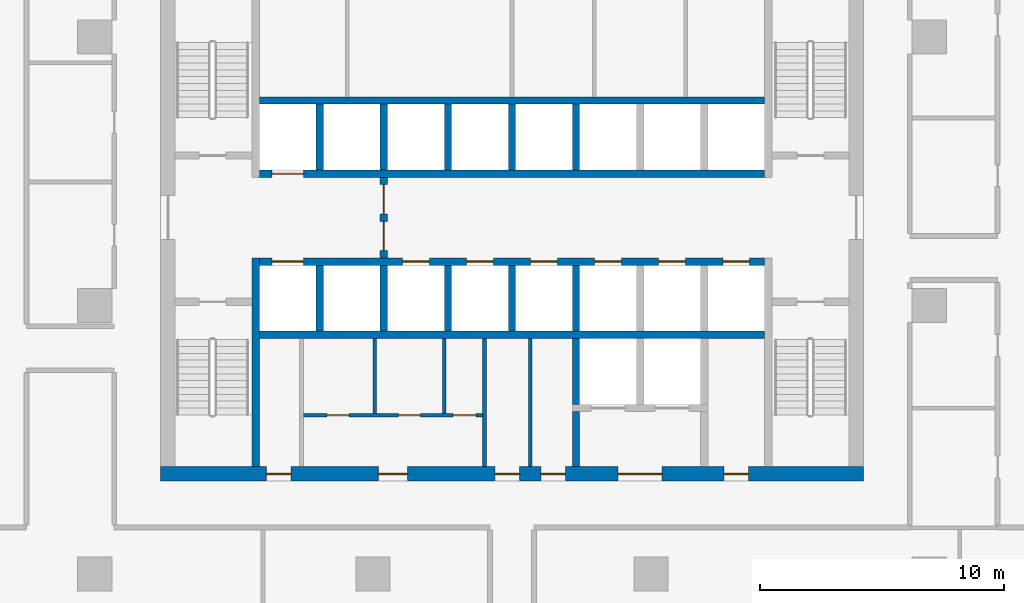
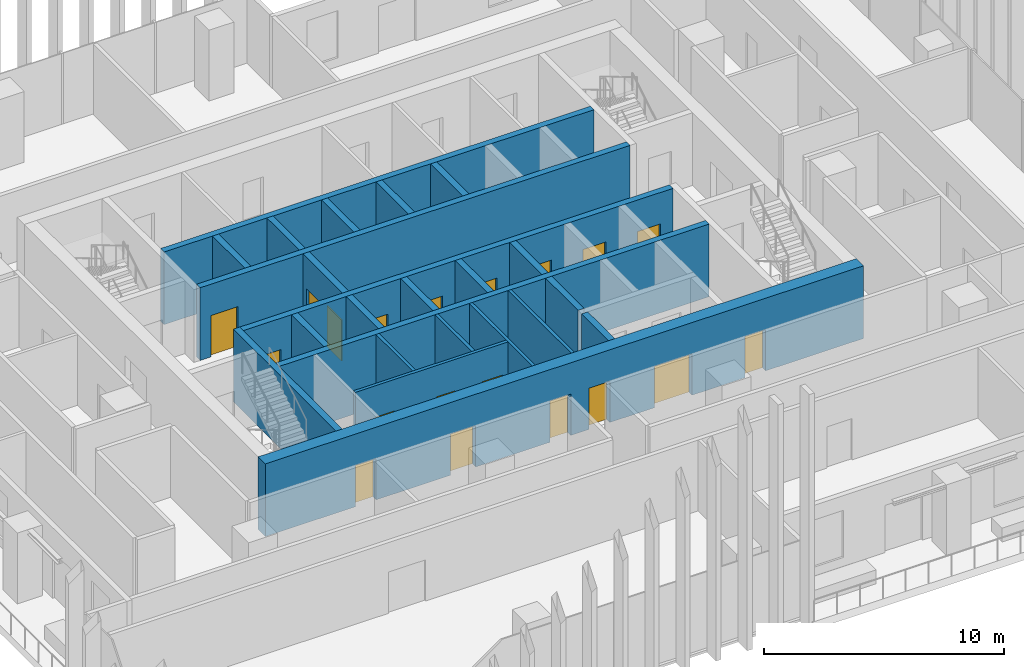
# One storey, part 8 of 16: 24 walls, 19 doors, 19 openings.
"""IFC4 building model written with IfcOpenShell, lengths in metres."""

from ifc_helpers import new_model, si_unit, direction, frame, frame_2d, origin, place, context, subcontext, project, spatial, rectangle, extrude, material, layer, layer_set, type_object, element, fill, save


model = new_model("IFC4")

# Units and contexts
model_context = context("Model", 3, precision=1e-05, world=origin(), true_north=direction((0.0, 1.0)))
body_context = subcontext(model_context, "Body", "Model", "MODEL_VIEW")
ifc_project = project(units=[si_unit("LENGTHUNIT", "METRE"), si_unit("AREAUNIT", "SQUARE_METRE"), si_unit("VOLUMEUNIT", "CUBIC_METRE"), si_unit("PLANEANGLEUNIT", "RADIAN"), si_unit("MASSUNIT", "GRAM", prefix="KILO")], contexts=[model_context])

# Site, building, storey
site_placement = place(None, origin())
site = spatial("IfcSite", under=ifc_project, at=site_placement, CompositionType="ELEMENT")
building_placement = place(site_placement, origin())
building = spatial("IfcBuilding", under=site, at=building_placement, Name="Mopane Tessera Tower", CompositionType="ELEMENT")
storey_placement = place(building_placement, frame((0.0, 0.0, 181.0)))
storey = spatial("IfcBuildingStorey", under=building, at=storey_placement, Name="L37", CompositionType="ELEMENT", Elevation=181.0)

# Wall, openings, doors
ifc_material_1 = material(Name="Fire-rated gypsum board partition")
ifc_layer_1 = layer(ifc_material_1, 0.14990234375)
ifc_layer_set_1 = layer_set([ifc_layer_1], Name="Fire-rated gypsum board partition")
wall_type_1 = type_object("IfcWallType", Name="Core room partition 150 mm", PredefinedType="PARTITIONING", material=ifc_layer_set_1)
wall_1_placement = place(storey_placement, frame((-8.550048828125, -4.5, 0.0), z_axis=(0.0, 0.0, 1.0), x_axis=(1.0, 0.0, 0.0)))
wall_1 = element("IfcWall", 1, at=wall_1_placement, inside=storey, type_object=wall_type_1, Name="L37 WC partition", PredefinedType="PARTITIONING", context=body_context, shape_type="SweptSolid", body=[
    extrude(rectangle(XDim=7.35009765625, YDim=0.14990234375, at=frame_2d((3.675048828125, 0.0))), origin(), (0.0, 0.0, 1.0), 3.699951171875),
])
opening_1_placement = place(wall_1_placement, frame((0.97509765625, 0.0, 0.0)))
opening_1 = element("IfcOpeningElement", 2, at=opening_1_placement, cuts=wall_1, Name="Opening WD1", PredefinedType="OPENING", context=body_context, shape_type="SweptSolid", body=[
    extrude(rectangle(XDim=0.89990234375, YDim=2.10009765625, at=frame_2d((0.449951171875, 1.050048828125))), frame((0.0, 0.0869140625, 0.0), z_axis=(0.0, -1.0, 0.0), x_axis=(1.0, 0.0, 0.0)), (0.0, 0.0, 1.0), 0.173828125),
])
opening_2_placement = place(wall_1_placement, frame((3.89990234375, 0.0, 0.0)))
opening_2 = element("IfcOpeningElement", 3, at=opening_2_placement, cuts=wall_1, Name="Opening WD1", PredefinedType="OPENING", context=body_context, shape_type="SweptSolid", body=[
    extrude(rectangle(XDim=0.89990234375, YDim=2.10009765625, at=frame_2d((0.449951171875, 1.050048828125))), frame((0.0, 0.0869140625, 0.0), z_axis=(0.0, -1.0, 0.0), x_axis=(1.0, 0.0, 0.0)), (0.0, 0.0, 1.0), 0.173828125),
])
opening_3_placement = place(wall_1_placement, frame((6.125, 0.0, 0.0)))
opening_3 = element("IfcOpeningElement", 4, at=opening_3_placement, cuts=wall_1, Name="Opening WD2", PredefinedType="OPENING", context=body_context, shape_type="SweptSolid", body=[
    extrude(rectangle(XDim=0.949951171875, YDim=2.10009765625, at=frame_2d((0.47509765625, 1.050048828125))), frame((0.0, 0.0869140625, 0.0), z_axis=(0.0, -1.0, 0.0), x_axis=(1.0, 0.0, 0.0)), (0.0, 0.0, 1.0), 0.173828125),
])
ifc_material_2 = material(Name="Timber door", Category="wood")
door_type_1 = type_object("IfcDoorType", Name="Accessible WC door 950 x 2100", OperationType="SINGLE_SWING_LEFT", PredefinedType="DOOR", material=ifc_material_2)
door_1_placement = place(opening_3_placement, origin())
door_1 = element("IfcDoor", 5, at=door_1_placement, inside=storey, type_object=door_type_1, Name="L37 Accessible WC door", OperationType="SINGLE_SWING_LEFT", OverallHeight=2.10009765625, OverallWidth=0.949951171875, PredefinedType="DOOR", context=body_context, shape_type="SweptSolid", body=[
    extrude(rectangle(XDim=0.949951171875, YDim=2.10009765625, at=frame_2d((0.47509765625, 1.050048828125))), frame((0.0, 0.02490234375, 0.0), z_axis=(0.0, -1.0, 0.0), x_axis=(1.0, 0.0, 0.0)), (0.0, 0.0, 1.0), 0.050048828125),
])
fill(opening_3, door_1)
ifc_material_3 = material(Name="Timber door", Category="wood")
door_type_2 = type_object("IfcDoorType", Name="WC cubicle door 900 x 2100", OperationType="SINGLE_SWING_LEFT", PredefinedType="DOOR", material=ifc_material_3)
door_2_placement = place(opening_1_placement, origin())
door_2 = element("IfcDoor", 6, at=door_2_placement, inside=storey, type_object=door_type_2, Name="L37 Men's WC door", OperationType="SINGLE_SWING_LEFT", OverallHeight=2.10009765625, OverallWidth=0.89990234375, PredefinedType="DOOR", context=body_context, shape_type="SweptSolid", body=[
    extrude(rectangle(XDim=0.89990234375, YDim=2.10009765625, at=frame_2d((0.449951171875, 1.050048828125))), frame((0.0, 0.02490234375, 0.0), z_axis=(0.0, -1.0, 0.0), x_axis=(1.0, 0.0, 0.0)), (0.0, 0.0, 1.0), 0.050048828125),
])
fill(opening_1, door_2)
door_3_placement = place(opening_2_placement, origin())
door_3 = element("IfcDoor", 7, at=door_3_placement, inside=storey, type_object=door_type_2, Name="L37 Women's WC door", OperationType="SINGLE_SWING_LEFT", OverallHeight=2.10009765625, OverallWidth=0.89990234375, PredefinedType="DOOR", context=body_context, shape_type="SweptSolid", body=[
    extrude(rectangle(XDim=0.89990234375, YDim=2.10009765625, at=frame_2d((0.449951171875, 1.050048828125))), frame((0.0, 0.02490234375, 0.0), z_axis=(0.0, -1.0, 0.0), x_axis=(1.0, 0.0, 0.0)), (0.0, 0.0, 1.0), 0.050048828125),
])
fill(opening_2, door_3)

# Walls
for number, where, z_axis, x_axis, name in (
    (8, (-5.625, -4.425048828125, 0.0), (0.0, 0.0, 1.0), (0.0, 1.0, 0.0), "L37 WC partition"),
    (9, (-2.77490234375, -4.425048828125, 0.0), (0.0, 0.0, 1.0), (0.0, 1.0, 0.0), "L37 WC partition"),
):
    element("IfcWall", number, at=place(storey_placement, frame(where, z_axis=z_axis, x_axis=x_axis)), inside=storey, type_object=wall_type_1, Name=name, PredefinedType="PARTITIONING", context=body_context, shape_type="SweptSolid", body=[
        extrude(rectangle(XDim=3.074951171875, YDim=0.14990234375, at=frame_2d((1.53759765625, 0.0))), origin(), (0.0, 0.0, 1.0), 3.699951171875),
    ])
for number, where, z_axis, x_axis, name in (
    (10, (-1.125, -6.60009765625, 0.0), (0.0, 0.0, 1.0), (0.0, 1.0, 0.0), "L37 Room partition"),
    (11, (0.75, -6.60009765625, 0.0), (0.0, 0.0, 1.0), (0.0, 1.0, 0.0), "L37 Room partition"),
):
    element("IfcWall", number, at=place(storey_placement, frame(where, z_axis=z_axis, x_axis=x_axis)), inside=storey, type_object=wall_type_1, Name=name, PredefinedType="PARTITIONING", context=body_context, shape_type="SweptSolid", body=[
        extrude(rectangle(XDim=5.25, YDim=0.14990234375, at=frame_2d((2.625, 0.0))), origin(), (0.0, 0.0, 1.0), 3.699951171875),
    ])

# Wall, openings, doors
ifc_material_4 = material(Name="Concrete C70/85", Category="concrete")
ifc_layer_2 = layer(ifc_material_4, 0.60009765625)
ifc_layer_set_2 = layer_set([ifc_layer_2], Name="Concrete C70/85")
wall_type_2 = type_object("IfcWallType", Name="Core shear wall 600 mm", PredefinedType="SHEAR", material=ifc_layer_set_2)
wall_2_placement = place(storey_placement, frame((-14.39990234375, -6.89990234375, 0.0), z_axis=(0.0, 0.0, 1.0), x_axis=(1.0, 0.0, 0.0)))
wall_2 = element("IfcWall", 12, at=wall_2_placement, inside=storey, type_object=wall_type_2, Name="L37 Core wall south", PredefinedType="SHEAR", context=body_context, shape_type="SweptSolid", body=[
    extrude(rectangle(XDim=28.7998046875, YDim=0.60009765625, at=frame_2d((14.39990234375, 0.0))), origin(), (0.0, 0.0, 1.0), 3.699951171875),
])
opening_4_placement = place(wall_2_placement, frame((4.33740234375, 0.0, 0.0)))
opening_4 = element("IfcOpeningElement", 13, at=opening_4_placement, cuts=wall_2, Name="Opening RD1", PredefinedType="OPENING", context=body_context, shape_type="SweptSolid", body=[
    extrude(rectangle(XDim=1.0, YDim=2.10009765625, at=frame_2d((0.5, 1.050048828125))), frame((0.0, 0.31201171875, 0.0), z_axis=(0.0, -1.0, 0.0), x_axis=(1.0, 0.0, 0.0)), (0.0, 0.0, 1.0), 0.6240234375),
])
opening_5_placement = place(wall_2_placement, frame((8.925048828125, 0.0, 0.0)))
opening_5 = element("IfcOpeningElement", 14, at=opening_5_placement, cuts=wall_2, Name="Opening WD3", PredefinedType="OPENING", context=body_context, shape_type="SweptSolid", body=[
    extrude(rectangle(XDim=1.199951171875, YDim=2.10009765625, at=frame_2d((0.60009765625, 1.050048828125))), frame((0.0, 0.31201171875, 0.0), z_axis=(0.0, -1.0, 0.0), x_axis=(1.0, 0.0, 0.0)), (0.0, 0.0, 1.0), 0.6240234375),
])
opening_6_placement = place(wall_2_placement, frame((13.71240234375, 0.0, 0.0)))
opening_6 = element("IfcOpeningElement", 15, at=opening_6_placement, cuts=wall_2, Name="Opening RD1", PredefinedType="OPENING", context=body_context, shape_type="SweptSolid", body=[
    extrude(rectangle(XDim=1.0, YDim=2.10009765625, at=frame_2d((0.5, 1.050048828125))), frame((0.0, 0.31201171875, 0.0), z_axis=(0.0, -1.0, 0.0), x_axis=(1.0, 0.0, 0.0)), (0.0, 0.0, 1.0), 0.6240234375),
])
opening_7_placement = place(wall_2_placement, frame((15.58740234375, 0.0, 0.0)))
opening_7 = element("IfcOpeningElement", 16, at=opening_7_placement, cuts=wall_2, Name="Opening RD1", PredefinedType="OPENING", context=body_context, shape_type="SweptSolid", body=[
    extrude(rectangle(XDim=1.0, YDim=2.10009765625, at=frame_2d((0.5, 1.050048828125))), frame((0.0, 0.31201171875, 0.0), z_axis=(0.0, -1.0, 0.0), x_axis=(1.0, 0.0, 0.0)), (0.0, 0.0, 1.0), 0.6240234375),
])
opening_8_placement = place(wall_2_placement, frame((18.75, 0.0, 0.0)))
opening_8 = element("IfcOpeningElement", 17, at=opening_8_placement, cuts=wall_2, Name="Opening SD2", PredefinedType="OPENING", context=body_context, shape_type="SweptSolid", body=[
    extrude(rectangle(XDim=1.800048828125, YDim=2.10009765625, at=frame_2d((0.89990234375, 1.050048828125))), frame((0.0, 0.31201171875, 0.0), z_axis=(0.0, -1.0, 0.0), x_axis=(1.0, 0.0, 0.0)), (0.0, 0.0, 1.0), 0.6240234375),
])
opening_9_placement = place(wall_2_placement, frame((23.08740234375, 0.0, 0.0)))
opening_9 = element("IfcOpeningElement", 18, at=opening_9_placement, cuts=wall_2, Name="Opening RD1", PredefinedType="OPENING", context=body_context, shape_type="SweptSolid", body=[
    extrude(rectangle(XDim=1.0, YDim=2.10009765625, at=frame_2d((0.5, 1.050048828125))), frame((0.0, 0.31201171875, 0.0), z_axis=(0.0, -1.0, 0.0), x_axis=(1.0, 0.0, 0.0)), (0.0, 0.0, 1.0), 0.6240234375),
])
ifc_material_5 = material(Name="Steel fire door", Category="steel")
door_type_3 = type_object("IfcDoorType", Name="Core entrance double door 1800 x 2100", OperationType="DOUBLE_DOOR_SINGLE_SWING", PredefinedType="DOOR", material=ifc_material_5)
door_4_placement = place(opening_8_placement, origin())
door_4 = element("IfcDoor", 19, at=door_4_placement, inside=storey, type_object=door_type_3, Name="L37 Service lobby door", OperationType="DOUBLE_DOOR_SINGLE_SWING", OverallHeight=2.10009765625, OverallWidth=1.800048828125, PredefinedType="DOOR", context=body_context, shape_type="SweptSolid", body=[
    extrude(rectangle(XDim=1.800048828125, YDim=2.10009765625, at=frame_2d((0.89990234375, 1.050048828125))), frame((0.0, 0.02490234375, 0.0), z_axis=(0.0, -1.0, 0.0), x_axis=(1.0, 0.0, 0.0)), (0.0, 0.0, 1.0), 0.050048828125),
])
fill(opening_8, door_4)
ifc_material_6 = material(Name="Timber door", Category="wood")
door_type_4 = type_object("IfcDoorType", Name="Core room door 1000 x 2100", OperationType="SINGLE_SWING_LEFT", PredefinedType="DOOR", material=ifc_material_6)
door_5_placement = place(opening_4_placement, origin())
door_5 = element("IfcDoor", 20, at=door_5_placement, inside=storey, type_object=door_type_4, Name="L37 Room door", OperationType="SINGLE_SWING_LEFT", OverallHeight=2.10009765625, OverallWidth=1.0, PredefinedType="DOOR", context=body_context, shape_type="SweptSolid", body=[
    extrude(rectangle(XDim=1.0, YDim=2.10009765625, at=frame_2d((0.5, 1.050048828125))), frame((0.0, 0.02490234375, 0.0), z_axis=(0.0, -1.0, 0.0), x_axis=(1.0, 0.0, 0.0)), (0.0, 0.0, 1.0), 0.050048828125),
])
fill(opening_4, door_5)
door_6_placement = place(opening_6_placement, origin())
door_6 = element("IfcDoor", 21, at=door_6_placement, inside=storey, type_object=door_type_4, Name="L37 Room door", OperationType="SINGLE_SWING_LEFT", OverallHeight=2.10009765625, OverallWidth=1.0, PredefinedType="DOOR", context=body_context, shape_type="SweptSolid", body=[
    extrude(rectangle(XDim=1.0, YDim=2.10009765625, at=frame_2d((0.5, 1.050048828125))), frame((0.0, 0.02490234375, 0.0), z_axis=(0.0, -1.0, 0.0), x_axis=(1.0, 0.0, 0.0)), (0.0, 0.0, 1.0), 0.050048828125),
])
fill(opening_6, door_6)
door_7_placement = place(opening_7_placement, origin())
door_7 = element("IfcDoor", 22, at=door_7_placement, inside=storey, type_object=door_type_4, Name="L37 Room door", OperationType="SINGLE_SWING_LEFT", OverallHeight=2.10009765625, OverallWidth=1.0, PredefinedType="DOOR", context=body_context, shape_type="SweptSolid", body=[
    extrude(rectangle(XDim=1.0, YDim=2.10009765625, at=frame_2d((0.5, 1.050048828125))), frame((0.0, 0.02490234375, 0.0), z_axis=(0.0, -1.0, 0.0), x_axis=(1.0, 0.0, 0.0)), (0.0, 0.0, 1.0), 0.050048828125),
])
fill(opening_7, door_7)
door_8_placement = place(opening_9_placement, origin())
door_8 = element("IfcDoor", 23, at=door_8_placement, inside=storey, type_object=door_type_4, Name="L37 Room door", OperationType="SINGLE_SWING_LEFT", OverallHeight=2.10009765625, OverallWidth=1.0, PredefinedType="DOOR", context=body_context, shape_type="SweptSolid", body=[
    extrude(rectangle(XDim=1.0, YDim=2.10009765625, at=frame_2d((0.5, 1.050048828125))), frame((0.0, 0.02490234375, 0.0), z_axis=(0.0, -1.0, 0.0), x_axis=(1.0, 0.0, 0.0)), (0.0, 0.0, 1.0), 0.050048828125),
])
fill(opening_9, door_8)
ifc_material_7 = material(Name="Timber door", Category="wood")
door_type_5 = type_object("IfcDoorType", Name="WC lobby door 1200 x 2100", OperationType="SINGLE_SWING_LEFT", PredefinedType="DOOR", material=ifc_material_7)
door_9_placement = place(opening_5_placement, origin())
door_9 = element("IfcDoor", 24, at=door_9_placement, inside=storey, type_object=door_type_5, Name="L37 WC lobby door", OperationType="SINGLE_SWING_LEFT", OverallHeight=2.10009765625, OverallWidth=1.199951171875, PredefinedType="DOOR", context=body_context, shape_type="SweptSolid", body=[
    extrude(rectangle(XDim=1.199951171875, YDim=2.10009765625, at=frame_2d((0.60009765625, 1.050048828125))), frame((0.0, 0.02490234375, 0.0), z_axis=(0.0, -1.0, 0.0), x_axis=(1.0, 0.0, 0.0)), (0.0, 0.0, 1.0), 0.050048828125),
])
fill(opening_5, door_9)

# Walls
ifc_material_8 = material(Name="Concrete C60/75", Category="concrete")
ifc_layer_3 = layer(ifc_material_8, 0.300048828125)
ifc_layer_set_3 = layer_set([ifc_layer_3], Name="Concrete C60/75")
wall_type_3 = type_object("IfcWallType", Name="Core spine wall 300 mm", PredefinedType="SHEAR", material=ifc_layer_set_3)
wall_3_placement = place(storey_placement, frame((-10.5, -6.60009765625, 0.0), z_axis=(0.0, 0.0, 1.0), x_axis=(0.0, 1.0, 0.0)))
element("IfcWall", 25, at=wall_3_placement, inside=storey, type_object=wall_type_3, Name="L37 Core spine wall", PredefinedType="SHEAR", context=body_context, shape_type="SweptSolid", body=[
    extrude(rectangle(XDim=8.550048828125, YDim=0.300048828125, at=frame_2d((4.27490234375, 0.0))), origin(), (0.0, 0.0, 1.0), 3.699951171875),
])
ifc_material_9 = material(Name="Concrete C50/60", Category="concrete")
ifc_layer_4 = layer(ifc_material_9, 0.300048828125)
ifc_layer_set_4 = layer_set([ifc_layer_4], Name="Concrete C50/60")
wall_type_4 = type_object("IfcWallType", Name="Lift and stair shaft wall 300 mm", PredefinedType="SOLIDWALL", material=ifc_layer_set_4)
wall_4_placement = place(storey_placement, frame((-10.35009765625, -1.199951171875, 0.0), z_axis=(0.0, 0.0, 1.0), x_axis=(1.0, 0.0, 0.0)))
element("IfcWall", 26, at=wall_4_placement, inside=storey, type_object=wall_type_4, Name="L37 Lift shaft rear wall", PredefinedType="SOLIDWALL", context=body_context, shape_type="SweptSolid", body=[
    extrude(rectangle(XDim=20.7001953125, YDim=0.300048828125, at=frame_2d((10.35009765625, 0.0))), origin(), (0.0, 0.0, 1.0), 3.699951171875),
])

# Wall, openings, doors
wall_5_placement = place(storey_placement, frame((-10.35009765625, 1.800048828125, 0.0), z_axis=(0.0, 0.0, 1.0), x_axis=(1.0, 0.0, 0.0)))
wall_5 = element("IfcWall", 27, at=wall_5_placement, inside=storey, type_object=wall_type_4, Name="L37 Lift shaft front wall", PredefinedType="SOLIDWALL", context=body_context, shape_type="SweptSolid", body=[
    extrude(rectangle(XDim=20.7001953125, YDim=0.300048828125, at=frame_2d((10.35009765625, 0.0))), origin(), (0.0, 0.0, 1.0), 3.699951171875),
])
opening_10_placement = place(wall_5_placement, frame((0.512451171875, 0.0, 0.0)))
opening_10 = element("IfcOpeningElement", 28, at=opening_10_placement, cuts=wall_5, Name="Opening LD2", PredefinedType="OPENING", context=body_context, shape_type="SweptSolid", body=[
    extrude(rectangle(XDim=1.300048828125, YDim=2.10009765625, at=frame_2d((0.64990234375, 1.050048828125))), frame((0.0, 0.162109375, 0.0), z_axis=(0.0, -1.0, 0.0), x_axis=(1.0, 0.0, 0.0)), (0.0, 0.0, 1.0), 0.323974609375),
])
opening_11_placement = place(wall_5_placement, frame((5.862548828125, 0.0, 0.0)))
opening_11 = element("IfcOpeningElement", 29, at=opening_11_placement, cuts=wall_5, Name="Opening LD", PredefinedType="OPENING", context=body_context, shape_type="SweptSolid", body=[
    extrude(rectangle(XDim=1.10009765625, YDim=2.10009765625, at=frame_2d((0.550048828125, 1.050048828125))), frame((0.0, 0.162109375, 0.0), z_axis=(0.0, -1.0, 0.0), x_axis=(1.0, 0.0, 0.0)), (0.0, 0.0, 1.0), 0.323974609375),
])
opening_12_placement = place(wall_5_placement, frame((8.487548828125, 0.0, 0.0)))
opening_12 = element("IfcOpeningElement", 30, at=opening_12_placement, cuts=wall_5, Name="Opening LD", PredefinedType="OPENING", context=body_context, shape_type="SweptSolid", body=[
    extrude(rectangle(XDim=1.10009765625, YDim=2.10009765625, at=frame_2d((0.550048828125, 1.050048828125))), frame((0.0, 0.162109375, 0.0), z_axis=(0.0, -1.0, 0.0), x_axis=(1.0, 0.0, 0.0)), (0.0, 0.0, 1.0), 0.323974609375),
])
opening_13_placement = place(wall_5_placement, frame((11.112548828125, 0.0, 0.0)))
opening_13 = element("IfcOpeningElement", 31, at=opening_13_placement, cuts=wall_5, Name="Opening LD", PredefinedType="OPENING", context=body_context, shape_type="SweptSolid", body=[
    extrude(rectangle(XDim=1.10009765625, YDim=2.10009765625, at=frame_2d((0.550048828125, 1.050048828125))), frame((0.0, 0.162109375, 0.0), z_axis=(0.0, -1.0, 0.0), x_axis=(1.0, 0.0, 0.0)), (0.0, 0.0, 1.0), 0.323974609375),
])
opening_14_placement = place(wall_5_placement, frame((13.737548828125, 0.0, 0.0)))
opening_14 = element("IfcOpeningElement", 32, at=opening_14_placement, cuts=wall_5, Name="Opening LD", PredefinedType="OPENING", context=body_context, shape_type="SweptSolid", body=[
    extrude(rectangle(XDim=1.10009765625, YDim=2.10009765625, at=frame_2d((0.550048828125, 1.050048828125))), frame((0.0, 0.162109375, 0.0), z_axis=(0.0, -1.0, 0.0), x_axis=(1.0, 0.0, 0.0)), (0.0, 0.0, 1.0), 0.323974609375),
])
opening_15_placement = place(wall_5_placement, frame((16.362548828125, 0.0, 0.0)))
opening_15 = element("IfcOpeningElement", 33, at=opening_15_placement, cuts=wall_5, Name="Opening LD", PredefinedType="OPENING", context=body_context, shape_type="SweptSolid", body=[
    extrude(rectangle(XDim=1.10009765625, YDim=2.10009765625, at=frame_2d((0.550048828125, 1.050048828125))), frame((0.0, 0.162109375, 0.0), z_axis=(0.0, -1.0, 0.0), x_axis=(1.0, 0.0, 0.0)), (0.0, 0.0, 1.0), 0.323974609375),
])
opening_16_placement = place(wall_5_placement, frame((18.987548828125, 0.0, 0.0)))
opening_16 = element("IfcOpeningElement", 34, at=opening_16_placement, cuts=wall_5, Name="Opening LD", PredefinedType="OPENING", context=body_context, shape_type="SweptSolid", body=[
    extrude(rectangle(XDim=1.10009765625, YDim=2.10009765625, at=frame_2d((0.550048828125, 1.050048828125))), frame((0.0, 0.162109375, 0.0), z_axis=(0.0, -1.0, 0.0), x_axis=(1.0, 0.0, 0.0)), (0.0, 0.0, 1.0), 0.323974609375),
])
ifc_material_10 = material(Name="Stainless steel sliding door", Category="steel")
door_type_6 = type_object("IfcDoorType", Name="Fire-fighting lift landing door 1300 x 2100", OperationType="DOUBLE_DOOR_SLIDING", PredefinedType="DOOR", material=ifc_material_10)
door_10_placement = place(opening_10_placement, origin())
door_10 = element("IfcDoor", 35, at=door_10_placement, inside=storey, type_object=door_type_6, Name="L37 Lift landing door FF1", OperationType="DOUBLE_DOOR_SLIDING", OverallHeight=2.10009765625, OverallWidth=1.300048828125, PredefinedType="DOOR", context=body_context, shape_type="SweptSolid", body=[
    extrude(rectangle(XDim=1.300048828125, YDim=2.10009765625, at=frame_2d((0.64990234375, 1.050048828125))), frame((0.0, 0.02490234375, 0.0), z_axis=(0.0, -1.0, 0.0), x_axis=(1.0, 0.0, 0.0)), (0.0, 0.0, 1.0), 0.050048828125),
])
fill(opening_10, door_10)
ifc_material_11 = material(Name="Stainless steel sliding door", Category="steel")
door_type_7 = type_object("IfcDoorType", Name="Lift landing door 1100 x 2100", OperationType="DOUBLE_DOOR_SLIDING", PredefinedType="DOOR", material=ifc_material_11)
door_11_placement = place(opening_11_placement, origin())
door_11 = element("IfcDoor", 36, at=door_11_placement, inside=storey, type_object=door_type_7, Name="L37 Lift landing door LR1", OperationType="DOUBLE_DOOR_SLIDING", OverallHeight=2.10009765625, OverallWidth=1.10009765625, PredefinedType="DOOR", context=body_context, shape_type="SweptSolid", body=[
    extrude(rectangle(XDim=1.10009765625, YDim=2.10009765625, at=frame_2d((0.550048828125, 1.050048828125))), frame((0.0, 0.02490234375, 0.0), z_axis=(0.0, -1.0, 0.0), x_axis=(1.0, 0.0, 0.0)), (0.0, 0.0, 1.0), 0.050048828125),
])
fill(opening_11, door_11)
door_12_placement = place(opening_12_placement, origin())
door_12 = element("IfcDoor", 37, at=door_12_placement, inside=storey, type_object=door_type_7, Name="L37 Lift landing door LR2", OperationType="DOUBLE_DOOR_SLIDING", OverallHeight=2.10009765625, OverallWidth=1.10009765625, PredefinedType="DOOR", context=body_context, shape_type="SweptSolid", body=[
    extrude(rectangle(XDim=1.10009765625, YDim=2.10009765625, at=frame_2d((0.550048828125, 1.050048828125))), frame((0.0, 0.02490234375, 0.0), z_axis=(0.0, -1.0, 0.0), x_axis=(1.0, 0.0, 0.0)), (0.0, 0.0, 1.0), 0.050048828125),
])
fill(opening_12, door_12)
door_13_placement = place(opening_13_placement, origin())
door_13 = element("IfcDoor", 38, at=door_13_placement, inside=storey, type_object=door_type_7, Name="L37 Lift landing door LR3", OperationType="DOUBLE_DOOR_SLIDING", OverallHeight=2.10009765625, OverallWidth=1.10009765625, PredefinedType="DOOR", context=body_context, shape_type="SweptSolid", body=[
    extrude(rectangle(XDim=1.10009765625, YDim=2.10009765625, at=frame_2d((0.550048828125, 1.050048828125))), frame((0.0, 0.02490234375, 0.0), z_axis=(0.0, -1.0, 0.0), x_axis=(1.0, 0.0, 0.0)), (0.0, 0.0, 1.0), 0.050048828125),
])
fill(opening_13, door_13)
door_14_placement = place(opening_14_placement, origin())
door_14 = element("IfcDoor", 39, at=door_14_placement, inside=storey, type_object=door_type_7, Name="L37 Lift landing door LR4", OperationType="DOUBLE_DOOR_SLIDING", OverallHeight=2.10009765625, OverallWidth=1.10009765625, PredefinedType="DOOR", context=body_context, shape_type="SweptSolid", body=[
    extrude(rectangle(XDim=1.10009765625, YDim=2.10009765625, at=frame_2d((0.550048828125, 1.050048828125))), frame((0.0, 0.02490234375, 0.0), z_axis=(0.0, -1.0, 0.0), x_axis=(1.0, 0.0, 0.0)), (0.0, 0.0, 1.0), 0.050048828125),
])
fill(opening_14, door_14)
door_15_placement = place(opening_15_placement, origin())
door_15 = element("IfcDoor", 40, at=door_15_placement, inside=storey, type_object=door_type_7, Name="L37 Lift landing door LR5", OperationType="DOUBLE_DOOR_SLIDING", OverallHeight=2.10009765625, OverallWidth=1.10009765625, PredefinedType="DOOR", context=body_context, shape_type="SweptSolid", body=[
    extrude(rectangle(XDim=1.10009765625, YDim=2.10009765625, at=frame_2d((0.550048828125, 1.050048828125))), frame((0.0, 0.02490234375, 0.0), z_axis=(0.0, -1.0, 0.0), x_axis=(1.0, 0.0, 0.0)), (0.0, 0.0, 1.0), 0.050048828125),
])
fill(opening_15, door_15)
door_16_placement = place(opening_16_placement, origin())
door_16 = element("IfcDoor", 41, at=door_16_placement, inside=storey, type_object=door_type_7, Name="L37 Lift landing door LR6", OperationType="DOUBLE_DOOR_SLIDING", OverallHeight=2.10009765625, OverallWidth=1.10009765625, PredefinedType="DOOR", context=body_context, shape_type="SweptSolid", body=[
    extrude(rectangle(XDim=1.10009765625, YDim=2.10009765625, at=frame_2d((0.550048828125, 1.050048828125))), frame((0.0, 0.02490234375, 0.0), z_axis=(0.0, -1.0, 0.0), x_axis=(1.0, 0.0, 0.0)), (0.0, 0.0, 1.0), 0.050048828125),
])
fill(opening_16, door_16)

# Wall, opening, door
wall_6_placement = place(storey_placement, frame((-10.35009765625, 5.39990234375, 0.0), z_axis=(0.0, 0.0, 1.0), x_axis=(1.0, 0.0, 0.0)))
wall_6 = element("IfcWall", 42, at=wall_6_placement, inside=storey, type_object=wall_type_4, Name="L37 Lift shaft front wall", PredefinedType="SOLIDWALL", context=body_context, shape_type="SweptSolid", body=[
    extrude(rectangle(XDim=20.7001953125, YDim=0.300048828125, at=frame_2d((10.35009765625, 0.0))), origin(), (0.0, 0.0, 1.0), 3.699951171875),
])
opening_17_placement = place(wall_6_placement, frame((0.512451171875, 0.0, 0.0)))
opening_17 = element("IfcOpeningElement", 43, at=opening_17_placement, cuts=wall_6, Name="Opening LD2", PredefinedType="OPENING", context=body_context, shape_type="SweptSolid", body=[
    extrude(rectangle(XDim=1.300048828125, YDim=2.10009765625, at=frame_2d((0.64990234375, 1.050048828125))), frame((0.0, 0.162109375, 0.0), z_axis=(0.0, -1.0, 0.0), x_axis=(1.0, 0.0, 0.0)), (0.0, 0.0, 1.0), 0.323974609375),
])
door_17_placement = place(opening_17_placement, origin())
door_17 = element("IfcDoor", 44, at=door_17_placement, inside=storey, type_object=door_type_6, Name="L37 Lift landing door FF2", OperationType="DOUBLE_DOOR_SLIDING", OverallHeight=2.10009765625, OverallWidth=1.300048828125, PredefinedType="DOOR", context=body_context, shape_type="SweptSolid", body=[
    extrude(rectangle(XDim=1.300048828125, YDim=2.10009765625, at=frame_2d((0.64990234375, 1.050048828125))), frame((0.0, 0.02490234375, 0.0), z_axis=(0.0, -1.0, 0.0), x_axis=(1.0, 0.0, 0.0)), (0.0, 0.0, 1.0), 0.050048828125),
])
fill(opening_17, door_17)

# Walls
wall_7_placement = place(storey_placement, frame((-10.35009765625, 8.39990234375, 0.0), z_axis=(0.0, 0.0, 1.0), x_axis=(1.0, 0.0, 0.0)))
element("IfcWall", 45, at=wall_7_placement, inside=storey, type_object=wall_type_4, Name="L37 Lift shaft rear wall", PredefinedType="SOLIDWALL", context=body_context, shape_type="SweptSolid", body=[
    extrude(rectangle(XDim=20.7001953125, YDim=0.300048828125, at=frame_2d((10.35009765625, 0.0))), origin(), (0.0, 0.0, 1.0), 3.699951171875),
])
for number, where, z_axis, x_axis, name in (
    (46, (-7.875, -1.050048828125, 0.0), (0.0, 0.0, 1.0), (0.0, 1.0, 0.0), "L37 Lift shaft wall"),
    (47, (-5.25, -1.050048828125, 0.0), (0.0, 0.0, 1.0), (0.0, 1.0, 0.0), "L37 Lift shaft wall"),
    (48, (-2.625, -1.050048828125, 0.0), (0.0, 0.0, 1.0), (0.0, 1.0, 0.0), "L37 Lift shaft wall"),
    (49, (0.0, -1.050048828125, 0.0), (0.0, 0.0, 1.0), (0.0, 1.0, 0.0), "L37 Lift shaft wall"),
    (50, (2.625, -1.050048828125, 0.0), (0.0, 0.0, 1.0), (0.0, 1.0, 0.0), "L37 Lift shaft wall"),
    (51, (-7.875, 5.550048828125, 0.0), (0.0, 0.0, 1.0), (0.0, 1.0, 0.0), "L37 Lift shaft wall"),
    (52, (-5.25, 5.550048828125, 0.0), (0.0, 0.0, 1.0), (0.0, 1.0, 0.0), "L37 Lift shaft wall"),
    (53, (-2.625, 5.550048828125, 0.0), (0.0, 0.0, 1.0), (0.0, 1.0, 0.0), "L37 Lift shaft wall"),
    (54, (0.0, 5.550048828125, 0.0), (0.0, 0.0, 1.0), (0.0, 1.0, 0.0), "L37 Lift shaft wall"),
    (55, (2.625, 5.550048828125, 0.0), (0.0, 0.0, 1.0), (0.0, 1.0, 0.0), "L37 Lift shaft wall"),
    (56, (2.625, -4.050048828125, 0.0), (0.0, 0.0, 1.0), (0.0, 1.0, 0.0), "L37 Lift shaft wall"),
):
    element("IfcWall", number, at=place(storey_placement, frame(where, z_axis=z_axis, x_axis=x_axis)), inside=storey, type_object=wall_type_4, Name=name, PredefinedType="SOLIDWALL", context=body_context, shape_type="SweptSolid", body=[
        extrude(rectangle(XDim=2.699951171875, YDim=0.300048828125, at=frame_2d((1.35009765625, 0.0))), origin(), (0.0, 0.0, 1.0), 3.699951171875),
    ])

# Wall, openings, doors
ifc_material_12 = material(Name="Concrete C50/60", Category="concrete")
ifc_layer_5 = layer(ifc_material_12, 0.300048828125)
ifc_layer_set_5 = layer_set([ifc_layer_5], Name="Concrete C50/60")
wall_type_5 = type_object("IfcWallType", Name="Lobby and refuge room wall 300 mm", PredefinedType="SOLIDWALL", material=ifc_layer_set_5)
wall_8_placement = place(storey_placement, frame((-5.25, 1.949951171875, 0.0), z_axis=(0.0, 0.0, 1.0), x_axis=(0.0, 1.0, 0.0)))
wall_8 = element("IfcWall", 57, at=wall_8_placement, inside=storey, type_object=wall_type_5, Name="L37 Fire-fighting lobby wall", PredefinedType="SOLIDWALL", context=body_context, shape_type="SweptSolid", body=[
    extrude(rectangle(XDim=3.300048828125, YDim=0.300048828125, at=frame_2d((1.64990234375, 0.0))), origin(), (0.0, 0.0, 1.0), 3.699951171875),
])
opening_18_placement = place(wall_8_placement, frame((0.300048828125, 0.0, 0.0)))
opening_18 = element("IfcOpeningElement", 58, at=opening_18_placement, cuts=wall_8, Name="Opening SD3", PredefinedType="OPENING", context=body_context, shape_type="SweptSolid", body=[
    extrude(rectangle(XDim=1.199951171875, YDim=2.10009765625, at=frame_2d((0.60009765625, 1.050048828125))), frame((0.0, 0.162109375, 0.0), z_axis=(0.0, -1.0, 0.0), x_axis=(1.0, 0.0, 0.0)), (0.0, 0.0, 1.0), 0.323974609375),
])
opening_19_placement = place(wall_8_placement, frame((1.800048828125, 0.0, 0.0)))
opening_19 = element("IfcOpeningElement", 59, at=opening_19_placement, cuts=wall_8, Name="Opening SD3", PredefinedType="OPENING", context=body_context, shape_type="SweptSolid", body=[
    extrude(rectangle(XDim=1.199951171875, YDim=2.10009765625, at=frame_2d((0.60009765625, 1.050048828125))), frame((0.0, 0.162109375, 0.0), z_axis=(0.0, -1.0, 0.0), x_axis=(1.0, 0.0, 0.0)), (0.0, 0.0, 1.0), 0.323974609375),
])
ifc_material_13 = material(Name="Steel fire door", Category="steel")
door_type_8 = type_object("IfcDoorType", Name="Lobby fire door 1200 x 2100", OperationType="SINGLE_SWING_LEFT", PredefinedType="DOOR", material=ifc_material_13)
door_18_placement = place(opening_18_placement, origin())
door_18 = element("IfcDoor", 60, at=door_18_placement, inside=storey, type_object=door_type_8, Name="L37 Fire-fighting lobby door", OperationType="SINGLE_SWING_LEFT", OverallHeight=2.10009765625, OverallWidth=1.199951171875, PredefinedType="DOOR", context=body_context, shape_type="SweptSolid", body=[
    extrude(rectangle(XDim=1.199951171875, YDim=2.10009765625, at=frame_2d((0.60009765625, 1.050048828125))), frame((0.0, 0.02490234375, 0.0), z_axis=(0.0, -1.0, 0.0), x_axis=(1.0, 0.0, 0.0)), (0.0, 0.0, 1.0), 0.050048828125),
])
fill(opening_18, door_18)
door_19_placement = place(opening_19_placement, origin())
door_19 = element("IfcDoor", 61, at=door_19_placement, inside=storey, type_object=door_type_8, Name="L37 Fire-fighting lobby door", OperationType="SINGLE_SWING_RIGHT", OverallHeight=2.10009765625, OverallWidth=1.199951171875, PredefinedType="DOOR", context=body_context, shape_type="SweptSolid", body=[
    extrude(rectangle(XDim=1.199951171875, YDim=2.10009765625, at=frame_2d((0.60009765625, 1.050048828125))), frame((0.0, 0.02490234375, 0.0), z_axis=(0.0, -1.0, 0.0), x_axis=(1.0, 0.0, 0.0)), (0.0, 0.0, 1.0), 0.050048828125),
])
fill(opening_19, door_19)

# Wall
wall_9_placement = place(storey_placement, frame((2.625, -6.60009765625, 0.0), z_axis=(0.0, 0.0, 1.0), x_axis=(0.0, 1.0, 0.0)))
element("IfcWall", 62, at=wall_9_placement, inside=storey, type_object=wall_type_5, Name="L37 Service lobby wall", PredefinedType="SOLIDWALL", context=body_context, shape_type="SweptSolid", body=[
    extrude(rectangle(XDim=2.25, YDim=0.300048828125, at=frame_2d((1.125, 0.0))), origin(), (0.0, 0.0, 1.0), 3.699951171875),
])

save(model, "model.ifc")
